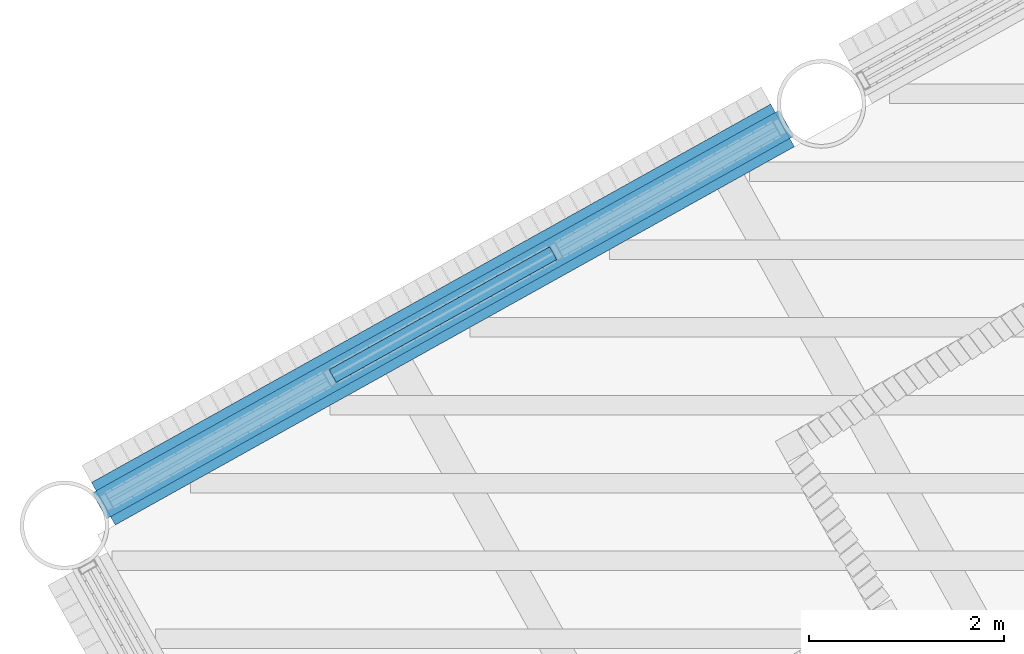
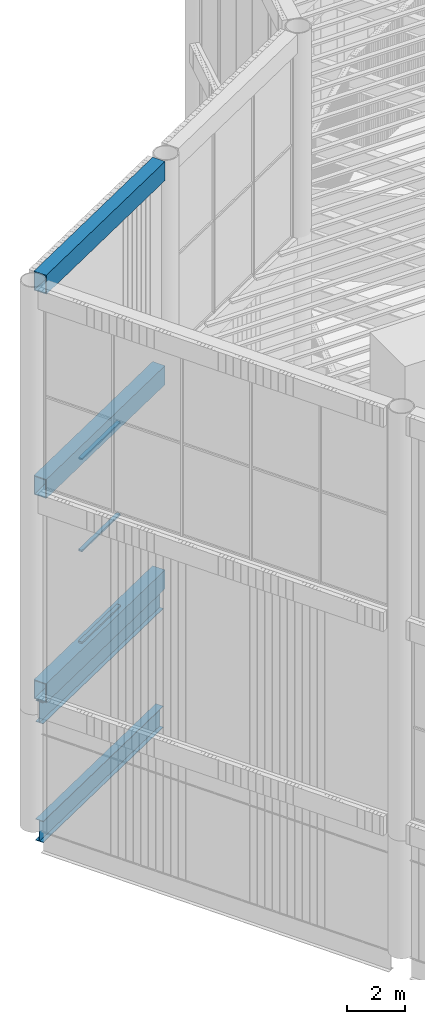
# One storey, part 18 of 117: 5 beams, 3 members, 1 element without a shape of its own.
"""IFC4 building model written with IfcOpenShell, lengths in metres."""

from ifc_helpers import new_model, si_unit, direction, frame, origin, origin_2d, place, context, subcontext, project, spatial, hollow_rectangle, i_section, extrude, material, layer, layer_set, material_profile, profile_set, type_object, element, aggregate, save


model = new_model("IFC4")

# Units and contexts
model_context = context("Model", 3, precision=1e-05, world=origin(), true_north=direction((0.0, 1.0)))
body_context = subcontext(model_context, "Body", "Model", "MODEL_VIEW")
ifc_project = project(units=[si_unit("LENGTHUNIT", "METRE"), si_unit("AREAUNIT", "SQUARE_METRE"), si_unit("VOLUMEUNIT", "CUBIC_METRE"), si_unit("PLANEANGLEUNIT", "RADIAN"), si_unit("MASSUNIT", "GRAM", prefix="KILO")], contexts=[model_context])

# Site, building, storey
site_placement = place(None, origin())
site = spatial("IfcSite", under=ifc_project, at=site_placement, CompositionType="ELEMENT")
building_placement = place(site_placement, origin())
building = spatial("IfcBuilding", under=site, at=building_placement, Name="Tarsis Ring Headquarters", CompositionType="ELEMENT")
storey_placement = place(building_placement, frame((0.0, 0.0, 403.60009765625)))
storey = spatial("IfcBuildingStorey", under=building, at=storey_placement, Name="L95", CompositionType="ELEMENT", Elevation=403.60009765625)

# Beams
ifc_material_1 = material(Name="Structural steel S355", Category="steel")
ifc_material_profile_1 = material_profile(ifc_material_1, hollow_rectangle(XDim=0.5, YDim=0.800048828125, WallThickness=0.030029296875, at=origin_2d()), Name="RHS 800x500x30")
ifc_profile_set_1 = profile_set([ifc_material_profile_1], Name="Structural steel S355")
beam_type_1 = type_object("IfcBeamType", Name="Crown frame ring beam RHS 800x500x30", PredefinedType="BEAM", material=ifc_profile_set_1)
for number, where, z_axis, x_axis, name in (
    (1, (-37.214599609375, -3.7890625, 5.39990234375), (-0.873598789311, -0.486646848664, 0.0), (0.486646848664, -0.873598789311, 0.0), "Crown frame ring beam R15"),
    (2, (-37.214599609375, -3.7890625, 14.0), (-0.873598789311, -0.486646848664, 0.0), (0.486646848664, -0.873598789311, 0.0), "Crown frame ring beam M15"),
    (3, (-37.214599609375, -3.7890625, 22.599853515625), (-0.873598789311, -0.486646848664, 0.0), (0.486646848664, -0.873598789311, 0.0), "Crown frame ring beam T15"),
):
    element("IfcBeam", number, at=place(storey_placement, frame(where, z_axis=z_axis, x_axis=x_axis)), inside=storey, type_object=beam_type_1, Name=name, PredefinedType="BEAM", context=body_context, shape_type="SweptSolid", body=[
        extrude(hollow_rectangle(XDim=0.5, YDim=0.800048828125, WallThickness=0.030029296875, at=origin_2d()), origin(), (0.0, 0.0, 1.0), 7.98828125),
    ])

# Curtain wall, members
ifc_material_2 = material(Name="Aluminium curtain wall", Category="aluminium")
ifc_layer = layer(ifc_material_2, 0.179931640625)
ifc_layer_set = layer_set([ifc_layer], Name="Curtain wall crown glazing")
curtain_wall_type = type_object("IfcCurtainWallType", Name="Curtain wall crown glazing", PredefinedType="NOTDEFINED", material=ifc_layer_set)
curtain_wall_placement = place(storey_placement, origin())
curtain_wall = element("IfcCurtainWall", 4, at=curtain_wall_placement, inside=storey, type_object=curtain_wall_type, Name="Crown glazing L15", PredefinedType="NOTDEFINED")
ifc_material_3 = material(Name="Aluminium transom", Category="aluminium")
ifc_material_profile_2 = material_profile(ifc_material_3, hollow_rectangle(XDim=0.14990234375, YDim=0.070068359375, WallThickness=0.0048828125, at=origin_2d()), Name="RHS 150x70x5")
ifc_profile_set_2 = profile_set([ifc_material_profile_2], Name="Aluminium transom")
member_type = type_object("IfcMemberType", Name="Crown glazing transom RHS 150x70x5", PredefinedType="USERDEFINED", material=ifc_profile_set_2)
member_1_placement = place(storey_placement, frame((-39.571533203125, -5.10205078125, 5.8349609375), z_axis=(-0.873592569316, -0.486658014253, 0.0), x_axis=(0.486658014253, -0.873592569316, 0.0)))
member_1 = element("IfcMember", 5, at=member_1_placement, type_object=member_type, Name="CW-C transom 2.1", ObjectType="TRANSOM", PredefinedType="USERDEFINED", context=body_context, shape_type="SweptSolid", body=[
    extrude(hollow_rectangle(XDim=0.14990234375, YDim=0.070068359375, WallThickness=0.0048828125, at=origin_2d()), origin(), (0.0, 0.0, 1.0), 2.592529296875),
])
member_2_placement = place(storey_placement, frame((-39.571533203125, -5.10205078125, 9.699951171875), z_axis=(-0.873592569316, -0.486658014253, 0.0), x_axis=(0.486658014253, -0.873592569316, 0.0)))
member_2 = element("IfcMember", 6, at=member_2_placement, type_object=member_type, Name="CW-C transom 2.2", ObjectType="TRANSOM", PredefinedType="USERDEFINED", context=body_context, shape_type="SweptSolid", body=[
    extrude(hollow_rectangle(XDim=0.14990234375, YDim=0.070068359375, WallThickness=0.0048828125, at=origin_2d()), origin(), (0.0, 0.0, 1.0), 2.592529296875),
])
member_3_placement = place(storey_placement, frame((-39.571533203125, -5.10205078125, 13.56494140625), z_axis=(-0.873592569316, -0.486658014253, 0.0), x_axis=(0.486658014253, -0.873592569316, 0.0)))
member_3 = element("IfcMember", 7, at=member_3_placement, type_object=member_type, Name="CW-C transom 2.3", ObjectType="TRANSOM", PredefinedType="USERDEFINED", context=body_context, shape_type="SweptSolid", body=[
    extrude(hollow_rectangle(XDim=0.14990234375, YDim=0.070068359375, WallThickness=0.0048828125, at=origin_2d()), origin(), (0.0, 0.0, 1.0), 2.592529296875),
])
aggregate(curtain_wall, [member_1, member_2, member_3])

# Beams
ifc_material_profile_3 = material_profile(ifc_material_1, i_section(OverallWidth=0.3046875, OverallDepth=0.904296875, WebThickness=0.01513671875, FlangeThickness=0.02001953125, at=origin_2d()), Name="W36x135")
ifc_profile_set_3 = profile_set([ifc_material_profile_3], Name="Structural steel S355")
beam_type_2 = type_object("IfcBeamType", Name="XG Ring girder W36x135", PredefinedType="BEAM", material=ifc_profile_set_3)
for number, where, z_axis, x_axis, name in (
    (8, (-37.1748046875, -3.766845703125, -0.4521484375), (-0.873593670228, -0.486656038015, 0.0), (0.486656038015, -0.873593670228, 0.0), "Ring girder XG5"),
    (9, (-37.1748046875, -3.766845703125, 4.5478515625), (-0.873593670228, -0.486656038015, 0.0), (0.486656038015, -0.873593670228, 0.0), "Ring girder XG5"),
):
    element("IfcBeam", number, at=place(storey_placement, frame(where, z_axis=z_axis, x_axis=x_axis)), inside=storey, type_object=beam_type_2, Name=name, PredefinedType="BEAM", context=body_context, shape_type="SweptSolid", body=[
        extrude(i_section(OverallWidth=0.3046875, OverallDepth=0.904296875, WebThickness=0.01513671875, FlangeThickness=0.02001953125, at=origin_2d()), origin(), (0.0, 0.0, 1.0), 8.079345703125),
    ])

save(model, "model.ifc")
